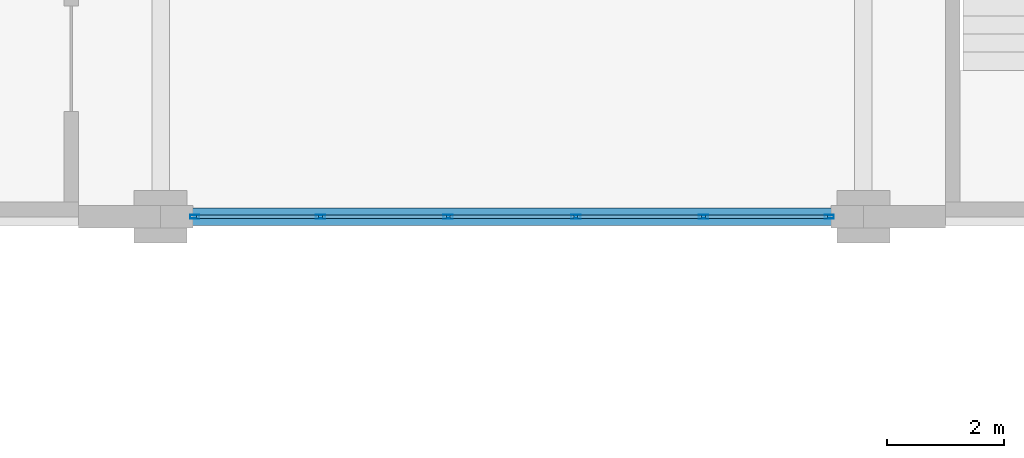
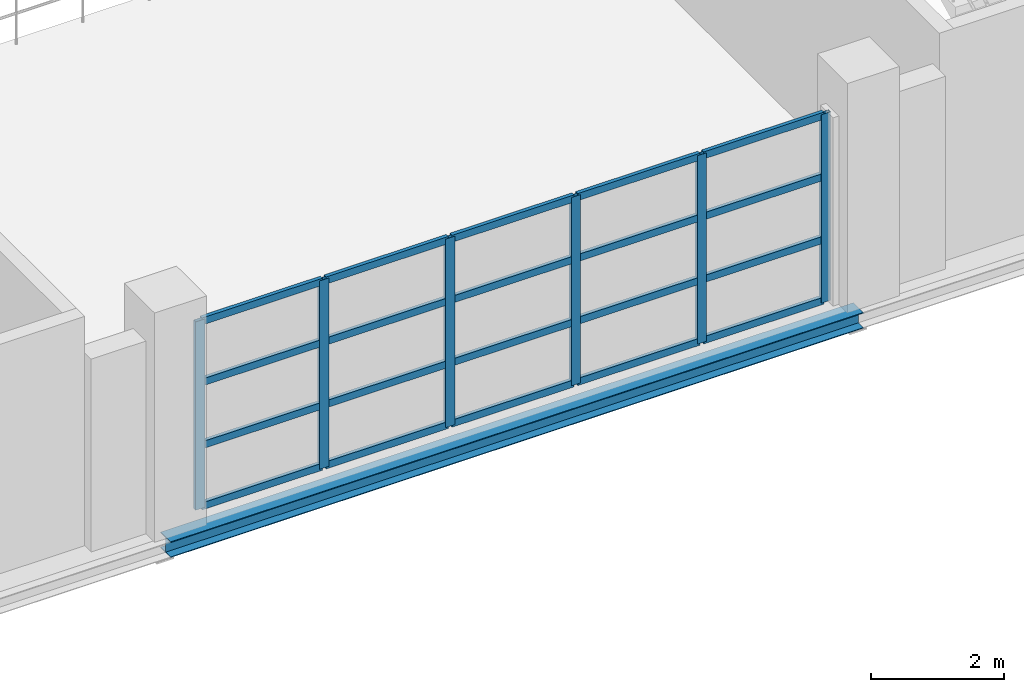
# One storey, part 98 of 158: 26 members, 1 beam, 1 element without a shape of its own.
"""IFC4 building model written with IfcOpenShell, lengths in metres."""

from ifc_helpers import new_model, si_unit, direction, frame, origin, origin_2d, place, context, subcontext, project, spatial, hollow_rectangle, i_section, extrude, material, layer, layer_set, material_profile, profile_set, type_object, element, aggregate, save


model = new_model("IFC4")

# Units and contexts
model_context = context("Model", 3, precision=1e-05, world=origin(), true_north=direction((0.0, 1.0)))
body_context = subcontext(model_context, "Body", "Model", "MODEL_VIEW")
ifc_project = project(units=[si_unit("LENGTHUNIT", "METRE"), si_unit("AREAUNIT", "SQUARE_METRE"), si_unit("VOLUMEUNIT", "CUBIC_METRE"), si_unit("PLANEANGLEUNIT", "RADIAN"), si_unit("MASSUNIT", "GRAM", prefix="KILO")], contexts=[model_context])

# Site, building, storey
site_placement = place(None, origin())
site = spatial("IfcSite", under=ifc_project, at=site_placement, CompositionType="ELEMENT")
building_placement = place(site_placement, origin())
building = spatial("IfcBuilding", under=site, at=building_placement, Name="Zilviju Railside Exhibition Hall", CompositionType="ELEMENT")
storey_placement = place(building_placement, frame((0.0, 0.0, 4.199951171875)))
storey = spatial("IfcBuildingStorey", under=building, at=storey_placement, Name="L02", CompositionType="ELEMENT", Elevation=4.199951171875)

# Beam
ifc_material_1 = material(Name="Steel S355J2", Category="steel")
ifc_material_profile_1 = material_profile(ifc_material_1, i_section(OverallWidth=0.300048828125, OverallDepth=0.2900390625, WebThickness=0.008544921875, FlangeThickness=0.013916015625, at=origin_2d()), Name="HEA 300")
ifc_profile_set_1 = profile_set([ifc_material_profile_1], Name="Steel S355J2")
beam_type = type_object("IfcBeamType", Name="BM-HEA300", PredefinedType="SPANDREL", material=ifc_profile_set_1)
beam_placement = place(storey_placement, frame((144.0, 84.0, -0.474853515625), z_axis=(1.0, 0.0, 0.0), x_axis=(0.0, 1.0, 0.0)))
element("IfcBeam", 1, at=beam_placement, inside=storey, type_object=beam_type, Name="Primary Girder L02 Y=84.0 (144.0..156.0)", PredefinedType="SPANDREL", context=body_context, shape_type="SweptSolid", body=[
    extrude(i_section(OverallWidth=0.300048828125, OverallDepth=0.2900390625, WebThickness=0.008544921875, FlangeThickness=0.013916015625, at=origin_2d()), origin(), (0.0, 0.0, 1.0), 12.0),
])

# Curtain wall, members
ifc_material_2 = material(Name="Thermally broken aluminium-steel triple-glazed curtain wall", Category="steel")
ifc_layer = layer(ifc_material_2, 0.179931640625)
ifc_layer_set = layer_set([ifc_layer], Name="Thermally broken aluminium-steel triple-glazed curtain wall")
curtain_wall_type = type_object("IfcCurtainWallType", Name="CW-BAY-08", PredefinedType="USERDEFINED", material=ifc_layer_set)
curtain_wall_placement = place(storey_placement, origin())
curtain_wall = element("IfcCurtainWall", 2, at=curtain_wall_placement, inside=storey, type_object=curtain_wall_type, Name="North Hall Garden Court Curtain Wall L02 (144..156)", ObjectType="GLAZED CURTAIN WALL", PredefinedType="USERDEFINED")
ifc_material_3 = material(Name="Thermally broken anodized aluminium mullion", Category="aluminium")
ifc_material_profile_2 = material_profile(ifc_material_3, hollow_rectangle(XDim=0.06494140625, YDim=0.159912109375, WallThickness=0.0048828125, at=origin_2d()), Name="MULLION 160x65x5")
ifc_profile_set_2 = profile_set([ifc_material_profile_2], Name="Thermally broken anodized aluminium mullion")
member_type_1 = type_object("IfcMemberType", Name="CWM-65x160", PredefinedType="MULLION", material=ifc_profile_set_2)
member_1_placement = place(storey_placement, frame((155.41748046875, 84.0, 0.0), z_axis=(0.0, 0.0, 1.0), x_axis=(0.0, -1.0, 0.0)))
member_1 = element("IfcMember", 3, at=member_1_placement, type_object=member_type_1, Name="CW-08 mullion 1", PredefinedType="MULLION", context=body_context, shape_type="SweptSolid", body=[
    extrude(hollow_rectangle(XDim=0.06494140625, YDim=0.159912109375, WallThickness=0.0048828125, at=origin_2d()), origin(), (0.0, 0.0, 1.0), 3.449951171875),
])
member_2_placement = place(storey_placement, frame((153.27001953125, 84.0, 0.0), z_axis=(0.0, 0.0, 1.0), x_axis=(0.0, -1.0, 0.0)))
member_2 = element("IfcMember", 4, at=member_2_placement, type_object=member_type_1, Name="CW-08 mullion 2", PredefinedType="MULLION", context=body_context, shape_type="SweptSolid", body=[
    extrude(hollow_rectangle(XDim=0.06494140625, YDim=0.159912109375, WallThickness=0.0048828125, at=origin_2d()), origin(), (0.0, 0.0, 1.0), 3.449951171875),
])
member_3_placement = place(storey_placement, frame((151.090087890625, 84.0, 0.0), z_axis=(0.0, 0.0, 1.0), x_axis=(0.0, -1.0, 0.0)))
member_3 = element("IfcMember", 5, at=member_3_placement, type_object=member_type_1, Name="CW-08 mullion 3", PredefinedType="MULLION", context=body_context, shape_type="SweptSolid", body=[
    extrude(hollow_rectangle(XDim=0.06494140625, YDim=0.159912109375, WallThickness=0.0048828125, at=origin_2d()), origin(), (0.0, 0.0, 1.0), 3.449951171875),
])
member_4_placement = place(storey_placement, frame((148.909912109375, 84.0, 0.0), z_axis=(0.0, 0.0, 1.0), x_axis=(0.0, -1.0, 0.0)))
member_4 = element("IfcMember", 6, at=member_4_placement, type_object=member_type_1, Name="CW-08 mullion 4", PredefinedType="MULLION", context=body_context, shape_type="SweptSolid", body=[
    extrude(hollow_rectangle(XDim=0.06494140625, YDim=0.159912109375, WallThickness=0.0048828125, at=origin_2d()), origin(), (0.0, 0.0, 1.0), 3.449951171875),
])
member_5_placement = place(storey_placement, frame((146.72998046875, 84.0, 0.0), z_axis=(0.0, 0.0, 1.0), x_axis=(0.0, -1.0, 0.0)))
member_5 = element("IfcMember", 7, at=member_5_placement, type_object=member_type_1, Name="CW-08 mullion 5", PredefinedType="MULLION", context=body_context, shape_type="SweptSolid", body=[
    extrude(hollow_rectangle(XDim=0.06494140625, YDim=0.159912109375, WallThickness=0.0048828125, at=origin_2d()), origin(), (0.0, 0.0, 1.0), 3.449951171875),
])
member_6_placement = place(storey_placement, frame((144.58251953125, 84.0, 0.0), z_axis=(0.0, 0.0, 1.0), x_axis=(0.0, -1.0, 0.0)))
member_6 = element("IfcMember", 8, at=member_6_placement, type_object=member_type_1, Name="CW-08 mullion 6", PredefinedType="MULLION", context=body_context, shape_type="SweptSolid", body=[
    extrude(hollow_rectangle(XDim=0.06494140625, YDim=0.159912109375, WallThickness=0.0048828125, at=origin_2d()), origin(), (0.0, 0.0, 1.0), 3.449951171875),
])
ifc_material_4 = material(Name="Thermally broken anodized aluminium transom", Category="aluminium")
ifc_material_profile_3 = material_profile(ifc_material_4, hollow_rectangle(XDim=0.06494140625, YDim=0.1298828125, WallThickness=0.0048828125, at=origin_2d()), Name="TRANSOM 130x65x5")
ifc_profile_set_3 = profile_set([ifc_material_profile_3], Name="Thermally broken anodized aluminium transom")
member_type_2 = type_object("IfcMemberType", Name="CWT-65x130", PredefinedType="USERDEFINED", material=ifc_profile_set_3)
member_7_placement = place(storey_placement, frame((155.385009765625, 84.0, 0.032470703125), z_axis=(-1.0, 0.0, 0.0), x_axis=(0.0, -1.0, 0.0)))
member_7 = element("IfcMember", 9, at=member_7_placement, type_object=member_type_2, Name="CW-08 transom 1.1", ObjectType="TRANSOM", PredefinedType="USERDEFINED", context=body_context, shape_type="SweptSolid", body=[
    extrude(hollow_rectangle(XDim=0.06494140625, YDim=0.1298828125, WallThickness=0.0048828125, at=origin_2d()), origin(), (0.0, 0.0, 1.0), 2.08251953125),
])
member_8_placement = place(storey_placement, frame((155.385009765625, 84.0, 1.150146484375), z_axis=(-1.0, 0.0, 0.0), x_axis=(0.0, -1.0, 0.0)))
member_8 = element("IfcMember", 10, at=member_8_placement, type_object=member_type_2, Name="CW-08 transom 1.2", ObjectType="TRANSOM", PredefinedType="USERDEFINED", context=body_context, shape_type="SweptSolid", body=[
    extrude(hollow_rectangle(XDim=0.06494140625, YDim=0.1298828125, WallThickness=0.0048828125, at=origin_2d()), origin(), (0.0, 0.0, 1.0), 2.08251953125),
])
member_9_placement = place(storey_placement, frame((155.385009765625, 84.0, 2.300048828125), z_axis=(-1.0, 0.0, 0.0), x_axis=(0.0, -1.0, 0.0)))
member_9 = element("IfcMember", 11, at=member_9_placement, type_object=member_type_2, Name="CW-08 transom 1.3", ObjectType="TRANSOM", PredefinedType="USERDEFINED", context=body_context, shape_type="SweptSolid", body=[
    extrude(hollow_rectangle(XDim=0.06494140625, YDim=0.1298828125, WallThickness=0.0048828125, at=origin_2d()), origin(), (0.0, 0.0, 1.0), 2.08251953125),
])
member_10_placement = place(storey_placement, frame((155.385009765625, 84.0, 3.41748046875), z_axis=(-1.0, 0.0, 0.0), x_axis=(0.0, -1.0, 0.0)))
member_10 = element("IfcMember", 12, at=member_10_placement, type_object=member_type_2, Name="CW-08 transom 1.4", ObjectType="TRANSOM", PredefinedType="USERDEFINED", context=body_context, shape_type="SweptSolid", body=[
    extrude(hollow_rectangle(XDim=0.06494140625, YDim=0.1298828125, WallThickness=0.0048828125, at=origin_2d()), origin(), (0.0, 0.0, 1.0), 2.08251953125),
])
member_11_placement = place(storey_placement, frame((153.237548828125, 84.0, 0.032470703125), z_axis=(-1.0, 0.0, 0.0), x_axis=(0.0, -1.0, 0.0)))
member_11 = element("IfcMember", 13, at=member_11_placement, type_object=member_type_2, Name="CW-08 transom 2.1", ObjectType="TRANSOM", PredefinedType="USERDEFINED", context=body_context, shape_type="SweptSolid", body=[
    extrude(hollow_rectangle(XDim=0.06494140625, YDim=0.1298828125, WallThickness=0.0048828125, at=origin_2d()), origin(), (0.0, 0.0, 1.0), 2.114990234375),
])
member_12_placement = place(storey_placement, frame((153.237548828125, 84.0, 1.150146484375), z_axis=(-1.0, 0.0, 0.0), x_axis=(0.0, -1.0, 0.0)))
member_12 = element("IfcMember", 14, at=member_12_placement, type_object=member_type_2, Name="CW-08 transom 2.2", ObjectType="TRANSOM", PredefinedType="USERDEFINED", context=body_context, shape_type="SweptSolid", body=[
    extrude(hollow_rectangle(XDim=0.06494140625, YDim=0.1298828125, WallThickness=0.0048828125, at=origin_2d()), origin(), (0.0, 0.0, 1.0), 2.114990234375),
])
member_13_placement = place(storey_placement, frame((153.237548828125, 84.0, 2.300048828125), z_axis=(-1.0, 0.0, 0.0), x_axis=(0.0, -1.0, 0.0)))
member_13 = element("IfcMember", 15, at=member_13_placement, type_object=member_type_2, Name="CW-08 transom 2.3", ObjectType="TRANSOM", PredefinedType="USERDEFINED", context=body_context, shape_type="SweptSolid", body=[
    extrude(hollow_rectangle(XDim=0.06494140625, YDim=0.1298828125, WallThickness=0.0048828125, at=origin_2d()), origin(), (0.0, 0.0, 1.0), 2.114990234375),
])
member_14_placement = place(storey_placement, frame((153.237548828125, 84.0, 3.41748046875), z_axis=(-1.0, 0.0, 0.0), x_axis=(0.0, -1.0, 0.0)))
member_14 = element("IfcMember", 16, at=member_14_placement, type_object=member_type_2, Name="CW-08 transom 2.4", ObjectType="TRANSOM", PredefinedType="USERDEFINED", context=body_context, shape_type="SweptSolid", body=[
    extrude(hollow_rectangle(XDim=0.06494140625, YDim=0.1298828125, WallThickness=0.0048828125, at=origin_2d()), origin(), (0.0, 0.0, 1.0), 2.114990234375),
])
member_15_placement = place(storey_placement, frame((151.0576171875, 84.0, 0.032470703125), z_axis=(-1.0, 0.0, 0.0), x_axis=(0.0, -1.0, 0.0)))
member_15 = element("IfcMember", 17, at=member_15_placement, type_object=member_type_2, Name="CW-08 transom 3.1", ObjectType="TRANSOM", PredefinedType="USERDEFINED", context=body_context, shape_type="SweptSolid", body=[
    extrude(hollow_rectangle(XDim=0.06494140625, YDim=0.1298828125, WallThickness=0.0048828125, at=origin_2d()), origin(), (0.0, 0.0, 1.0), 2.115234375),
])
member_16_placement = place(storey_placement, frame((151.0576171875, 84.0, 1.150146484375), z_axis=(-1.0, 0.0, 0.0), x_axis=(0.0, -1.0, 0.0)))
member_16 = element("IfcMember", 18, at=member_16_placement, type_object=member_type_2, Name="CW-08 transom 3.2", ObjectType="TRANSOM", PredefinedType="USERDEFINED", context=body_context, shape_type="SweptSolid", body=[
    extrude(hollow_rectangle(XDim=0.06494140625, YDim=0.1298828125, WallThickness=0.0048828125, at=origin_2d()), origin(), (0.0, 0.0, 1.0), 2.115234375),
])
member_17_placement = place(storey_placement, frame((151.0576171875, 84.0, 2.300048828125), z_axis=(-1.0, 0.0, 0.0), x_axis=(0.0, -1.0, 0.0)))
member_17 = element("IfcMember", 19, at=member_17_placement, type_object=member_type_2, Name="CW-08 transom 3.3", ObjectType="TRANSOM", PredefinedType="USERDEFINED", context=body_context, shape_type="SweptSolid", body=[
    extrude(hollow_rectangle(XDim=0.06494140625, YDim=0.1298828125, WallThickness=0.0048828125, at=origin_2d()), origin(), (0.0, 0.0, 1.0), 2.115234375),
])
member_18_placement = place(storey_placement, frame((151.0576171875, 84.0, 3.41748046875), z_axis=(-1.0, 0.0, 0.0), x_axis=(0.0, -1.0, 0.0)))
member_18 = element("IfcMember", 20, at=member_18_placement, type_object=member_type_2, Name="CW-08 transom 3.4", ObjectType="TRANSOM", PredefinedType="USERDEFINED", context=body_context, shape_type="SweptSolid", body=[
    extrude(hollow_rectangle(XDim=0.06494140625, YDim=0.1298828125, WallThickness=0.0048828125, at=origin_2d()), origin(), (0.0, 0.0, 1.0), 2.115234375),
])
member_19_placement = place(storey_placement, frame((148.87744140625, 84.0, 0.032470703125), z_axis=(-1.0, 0.0, 0.0), x_axis=(0.0, -1.0, 0.0)))
member_19 = element("IfcMember", 21, at=member_19_placement, type_object=member_type_2, Name="CW-08 transom 4.1", ObjectType="TRANSOM", PredefinedType="USERDEFINED", context=body_context, shape_type="SweptSolid", body=[
    extrude(hollow_rectangle(XDim=0.06494140625, YDim=0.1298828125, WallThickness=0.0048828125, at=origin_2d()), origin(), (0.0, 0.0, 1.0), 2.114990234375),
])
member_20_placement = place(storey_placement, frame((148.87744140625, 84.0, 1.150146484375), z_axis=(-1.0, 0.0, 0.0), x_axis=(0.0, -1.0, 0.0)))
member_20 = element("IfcMember", 22, at=member_20_placement, type_object=member_type_2, Name="CW-08 transom 4.2", ObjectType="TRANSOM", PredefinedType="USERDEFINED", context=body_context, shape_type="SweptSolid", body=[
    extrude(hollow_rectangle(XDim=0.06494140625, YDim=0.1298828125, WallThickness=0.0048828125, at=origin_2d()), origin(), (0.0, 0.0, 1.0), 2.114990234375),
])
member_21_placement = place(storey_placement, frame((148.87744140625, 84.0, 2.300048828125), z_axis=(-1.0, 0.0, 0.0), x_axis=(0.0, -1.0, 0.0)))
member_21 = element("IfcMember", 23, at=member_21_placement, type_object=member_type_2, Name="CW-08 transom 4.3", ObjectType="TRANSOM", PredefinedType="USERDEFINED", context=body_context, shape_type="SweptSolid", body=[
    extrude(hollow_rectangle(XDim=0.06494140625, YDim=0.1298828125, WallThickness=0.0048828125, at=origin_2d()), origin(), (0.0, 0.0, 1.0), 2.114990234375),
])
member_22_placement = place(storey_placement, frame((148.87744140625, 84.0, 3.41748046875), z_axis=(-1.0, 0.0, 0.0), x_axis=(0.0, -1.0, 0.0)))
member_22 = element("IfcMember", 24, at=member_22_placement, type_object=member_type_2, Name="CW-08 transom 4.4", ObjectType="TRANSOM", PredefinedType="USERDEFINED", context=body_context, shape_type="SweptSolid", body=[
    extrude(hollow_rectangle(XDim=0.06494140625, YDim=0.1298828125, WallThickness=0.0048828125, at=origin_2d()), origin(), (0.0, 0.0, 1.0), 2.114990234375),
])
member_23_placement = place(storey_placement, frame((146.697509765625, 84.0, 0.032470703125), z_axis=(-1.0, 0.0, 0.0), x_axis=(0.0, -1.0, 0.0)))
member_23 = element("IfcMember", 25, at=member_23_placement, type_object=member_type_2, Name="CW-08 transom 5.1", ObjectType="TRANSOM", PredefinedType="USERDEFINED", context=body_context, shape_type="SweptSolid", body=[
    extrude(hollow_rectangle(XDim=0.06494140625, YDim=0.1298828125, WallThickness=0.0048828125, at=origin_2d()), origin(), (0.0, 0.0, 1.0), 2.08251953125),
])
member_24_placement = place(storey_placement, frame((146.697509765625, 84.0, 1.150146484375), z_axis=(-1.0, 0.0, 0.0), x_axis=(0.0, -1.0, 0.0)))
member_24 = element("IfcMember", 26, at=member_24_placement, type_object=member_type_2, Name="CW-08 transom 5.2", ObjectType="TRANSOM", PredefinedType="USERDEFINED", context=body_context, shape_type="SweptSolid", body=[
    extrude(hollow_rectangle(XDim=0.06494140625, YDim=0.1298828125, WallThickness=0.0048828125, at=origin_2d()), origin(), (0.0, 0.0, 1.0), 2.08251953125),
])
member_25_placement = place(storey_placement, frame((146.697509765625, 84.0, 2.300048828125), z_axis=(-1.0, 0.0, 0.0), x_axis=(0.0, -1.0, 0.0)))
member_25 = element("IfcMember", 27, at=member_25_placement, type_object=member_type_2, Name="CW-08 transom 5.3", ObjectType="TRANSOM", PredefinedType="USERDEFINED", context=body_context, shape_type="SweptSolid", body=[
    extrude(hollow_rectangle(XDim=0.06494140625, YDim=0.1298828125, WallThickness=0.0048828125, at=origin_2d()), origin(), (0.0, 0.0, 1.0), 2.08251953125),
])
member_26_placement = place(storey_placement, frame((146.697509765625, 84.0, 3.41748046875), z_axis=(-1.0, 0.0, 0.0), x_axis=(0.0, -1.0, 0.0)))
member_26 = element("IfcMember", 28, at=member_26_placement, type_object=member_type_2, Name="CW-08 transom 5.4", ObjectType="TRANSOM", PredefinedType="USERDEFINED", context=body_context, shape_type="SweptSolid", body=[
    extrude(hollow_rectangle(XDim=0.06494140625, YDim=0.1298828125, WallThickness=0.0048828125, at=origin_2d()), origin(), (0.0, 0.0, 1.0), 2.08251953125),
])
aggregate(curtain_wall, [member_1, member_2, member_3, member_4, member_5, member_6, member_7, member_8, member_9, member_10, member_11, member_12, member_13, member_14, member_15, member_16, member_17, member_18, member_19, member_20, member_21, member_22, member_23, member_24, member_25, member_26])

save(model, "model.ifc")
